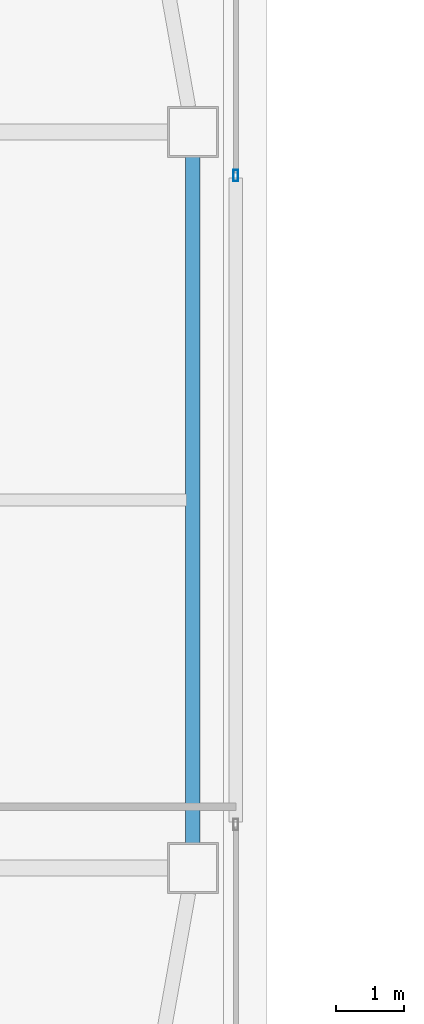
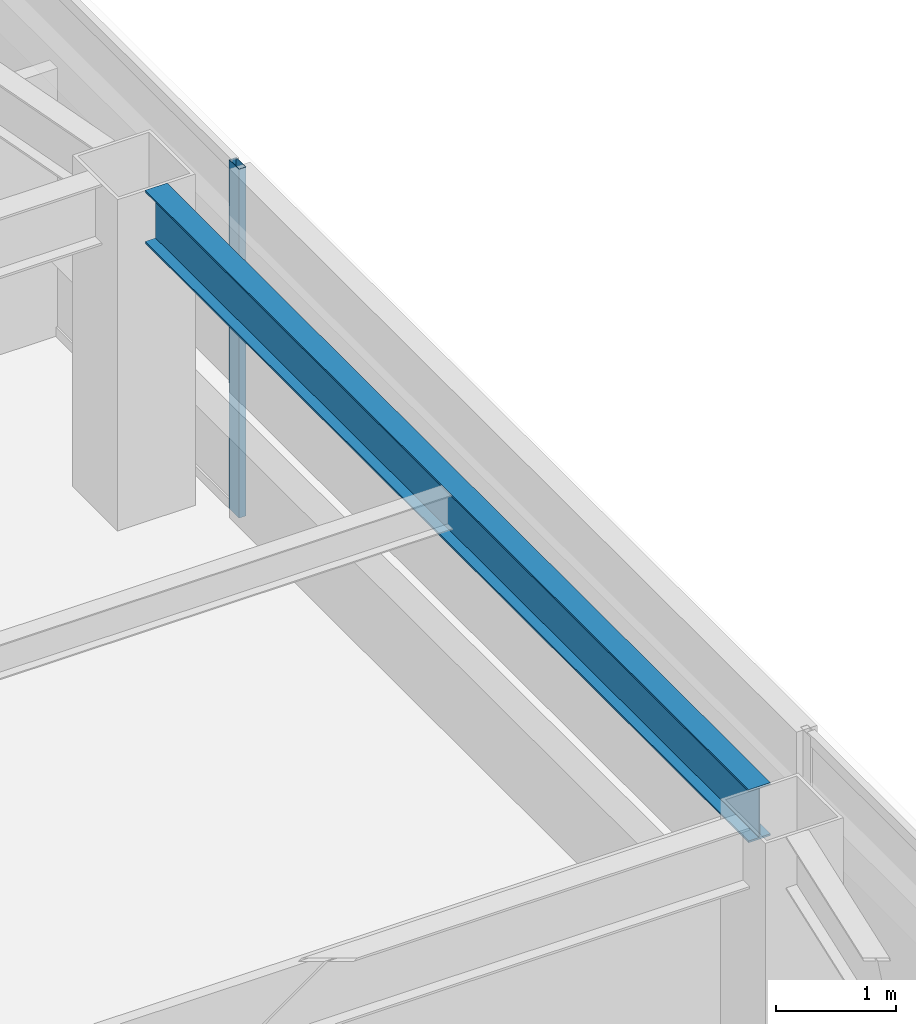
# One storey, part 11 of 39: 1 beam, 1 member, 1 element without a shape of its own.
"""IFC4 building model written with IfcOpenShell, lengths in metres."""

from ifc_helpers import new_model, si_unit, direction, frame, origin, origin_2d, place, context, subcontext, project, spatial, hollow_rectangle, i_section, extrude, material, material_profile, profile_set, type_object, element, aggregate, save


model = new_model("IFC4")

# Units and contexts
model_context = context("Model", 3, precision=1e-05, world=origin(), true_north=direction((0.0, 1.0)))
body_context = subcontext(model_context, "Body", "Model", "MODEL_VIEW")
ifc_project = project(units=[si_unit("LENGTHUNIT", "METRE"), si_unit("AREAUNIT", "SQUARE_METRE"), si_unit("VOLUMEUNIT", "CUBIC_METRE"), si_unit("PLANEANGLEUNIT", "RADIAN"), si_unit("MASSUNIT", "GRAM", prefix="KILO")], contexts=[model_context])

# Site, building, storey
site_placement = place(None, origin())
site = spatial("IfcSite", under=ifc_project, at=site_placement, CompositionType="ELEMENT")
building_placement = place(site_placement, origin())
building = spatial("IfcBuilding", under=site, at=building_placement, Name="Tashvorn Skyway Center", CompositionType="ELEMENT")
storey_placement = place(building_placement, frame((0.0, 0.0, 207.75)))
storey = spatial("IfcBuildingStorey", under=building, at=storey_placement, Name="L56", CompositionType="ELEMENT", Elevation=207.75)

# Beam
ifc_material_1 = material(Name="Steel ASTM A992 Grade 50", Category="steel")
ifc_material_profile_1 = material_profile(ifc_material_1, i_section(OverallWidth=0.2109375, OverallDepth=0.5390625, WebThickness=0.01171875, FlangeThickness=0.018798828125, at=origin_2d()), Name="W21X73")
ifc_profile_set_1 = profile_set([ifc_material_profile_1], Name="Steel ASTM A992 Grade 50")
beam_type = type_object("IfcBeamType", Name="BM-SPANDREL-W21X73", PredefinedType="SPANDREL", material=ifc_profile_set_1)
beam_placement = place(storey_placement, frame((57.64990234375, 26.969970703125, 3.1005859375), z_axis=(0.0, 1.0, 0.0), x_axis=(-1.0, 0.0, 0.0)))
element("IfcBeam", 1, at=beam_placement, inside=storey, type_object=beam_type, Name="Tower 1 L56 Spandrel Beam 05", PredefinedType="SPANDREL", context=body_context, shape_type="SweptSolid", body=[
    extrude(i_section(OverallWidth=0.2109375, OverallDepth=0.5390625, WebThickness=0.01171875, FlangeThickness=0.018798828125, at=origin_2d()), origin(), (0.0, 0.0, 1.0), 10.06005859375),
])

# Curtain wall, member
ifc_material_2 = material(Name="Thermally broken bronze-anodized aluminium 6063-T6", Category="aluminium")
curtain_wall_type = type_object("IfcCurtainWallType", Name="CW-CW-Z5", PredefinedType="NOTDEFINED", material=ifc_material_2)
curtain_wall_placement = place(storey_placement, origin())
curtain_wall = element("IfcCurtainWall", 2, at=curtain_wall_placement, inside=storey, type_object=curtain_wall_type, Name="Tower 1 L56 East Unitised Curtain Wall Glazing Group 1", PredefinedType="NOTDEFINED")
ifc_material_profile_2 = material_profile(ifc_material_2, hollow_rectangle(XDim=0.070068359375, YDim=0.1650390625, WallThickness=0.00390625, at=origin_2d()), Name="ALU-MULL-70x165")
ifc_profile_set_2 = profile_set([ifc_material_profile_2], Name="Thermally broken bronze-anodized aluminium 6063-T6")
member_type = type_object("IfcMemberType", Name="CWM-CW-Z5", PredefinedType="MULLION", material=ifc_profile_set_2)
member_placement = place(storey_placement, frame((58.280029296875, 36.76171875, 0.0), z_axis=(0.0, 0.0, 1.0), x_axis=(1.0, 0.0, 0.0)))
member = element("IfcMember", 3, at=member_placement, type_object=member_type, Name="CW-Z5 mullion 2", PredefinedType="MULLION", context=body_context, shape_type="SweptSolid", body=[
    extrude(hollow_rectangle(XDim=0.070068359375, YDim=0.1650390625, WallThickness=0.00390625, at=origin_2d()), origin(), (0.0, 0.0, 1.0), 3.550048828125),
])
aggregate(curtain_wall, [member])

save(model, "model.ifc")
